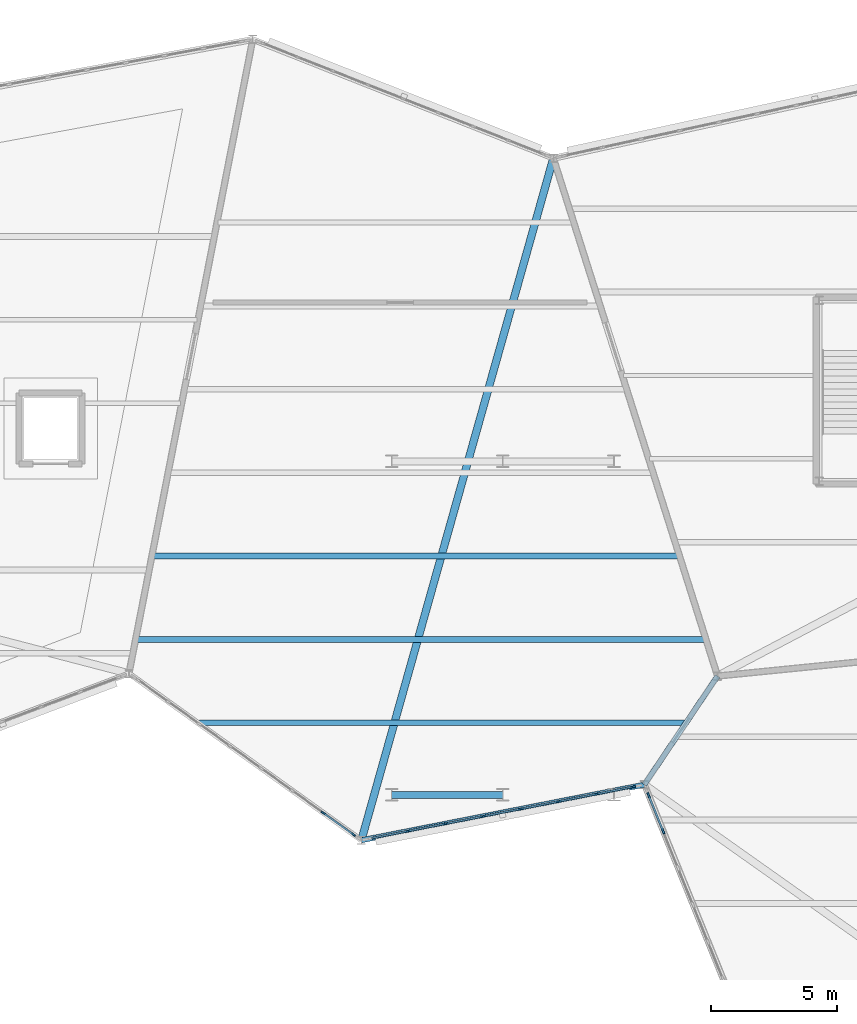
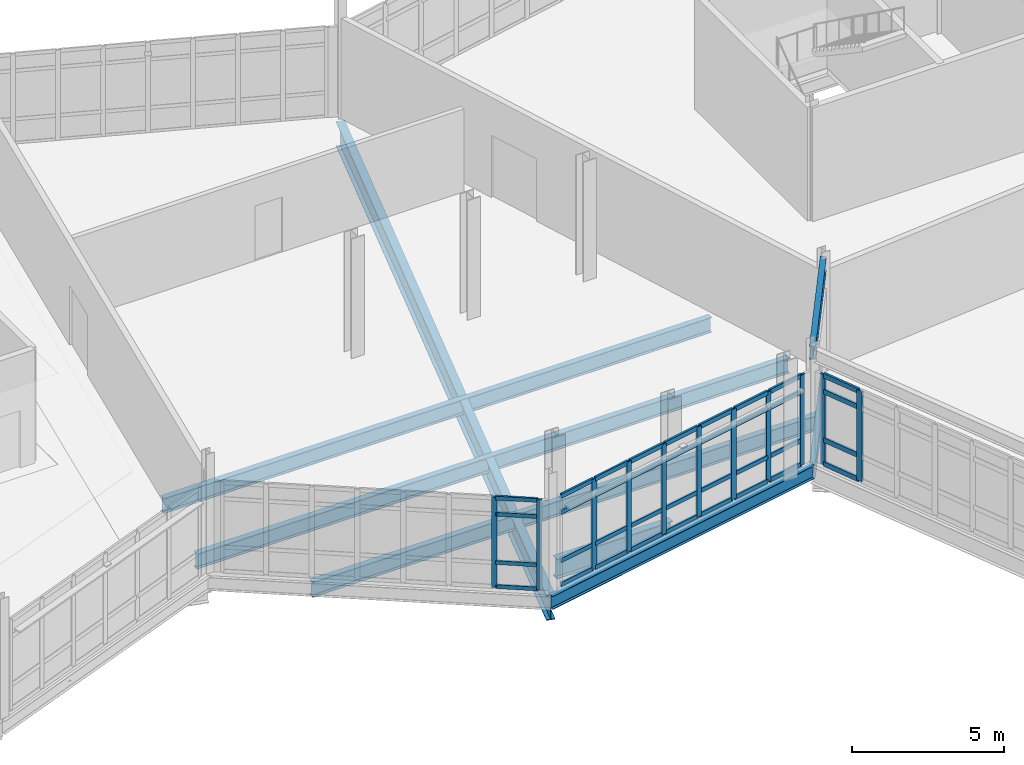
# One storey, part 67 of 134: 47 members, 8 beams, 3 elements without a shape of their own.
"""IFC4 building model written with IfcOpenShell, lengths in metres."""

from ifc_helpers import new_model, si_unit, direction, frame, origin, origin_2d, place, context, subcontext, project, spatial, rectangle, i_section, extrude, material, material_profile, profile_set, type_object, element, aggregate, save


model = new_model("IFC4")

# Units and contexts
model_context = context("Model", 3, precision=1e-05, world=origin(), true_north=direction((0.0, 1.0)))
body_context = subcontext(model_context, "Body", "Model", "MODEL_VIEW")
ifc_project = project(units=[si_unit("LENGTHUNIT", "METRE"), si_unit("AREAUNIT", "SQUARE_METRE"), si_unit("VOLUMEUNIT", "CUBIC_METRE"), si_unit("PLANEANGLEUNIT", "RADIAN"), si_unit("MASSUNIT", "GRAM", prefix="KILO")], contexts=[model_context])

# Site, building, storey
site_placement = place(None, origin())
site = spatial("IfcSite", under=ifc_project, at=site_placement, CompositionType="ELEMENT")
building_placement = place(site_placement, origin())
building = spatial("IfcBuilding", under=site, at=building_placement, Name="Tameran Prism Museum", CompositionType="ELEMENT")
storey_placement = place(building_placement, frame((0.0, 0.0, 5.39990234375)))
storey = spatial("IfcBuildingStorey", under=building, at=storey_placement, Name="L01", CompositionType="ELEMENT", Elevation=5.39990234375)

# Beams
ifc_material_1 = material(Name="Steel Grade 300PLUS (300 MPa)", Category="steel")
ifc_material_profile_1 = material_profile(ifc_material_1, i_section(OverallWidth=0.208984375, OverallDepth=0.532958984375, WebThickness=0.01025390625, FlangeThickness=0.015625, FilletRadius=0.013916015625, at=origin_2d()))
ifc_profile_set_1 = profile_set([ifc_material_profile_1])
beam_type_1 = type_object("IfcBeamType", Name="BM-SP530A", PredefinedType="SPANDREL", material=ifc_profile_set_1)
beam_1_placement = place(storey_placement, frame((129.89990234375, 15.699951171875, -0.46630859375), z_axis=(0.981250265265, 0.192737948825, 0.0), x_axis=(-0.192737948825, 0.981250265265, 0.0)))
element("IfcBeam", 1, at=beam_1_placement, inside=storey, type_object=beam_type_1, Name="Perimeter Spandrel SP-0367", PredefinedType="SPANDREL", context=body_context, shape_type="SweptSolid", body=[
    extrude(i_section(OverallWidth=0.208984375, OverallDepth=0.532958984375, WebThickness=0.01025390625, FlangeThickness=0.015625, FilletRadius=0.013916015625, at=origin_2d()), origin(), (0.0, 0.0, 1.0), 11.414306640625),
])
ifc_material_2 = material(Name="Steel Grade 300PLUS (300 MPa)", Category="steel")
ifc_material_profile_2 = material_profile(ifc_material_2, i_section(OverallWidth=0.208984375, OverallDepth=0.528076171875, WebThickness=0.009521484375, FlangeThickness=0.01318359375, FilletRadius=0.013916015625, at=origin_2d()))
ifc_profile_set_2 = profile_set([ifc_material_profile_2])
beam_type_2 = type_object("IfcBeamType", Name="BM-SP530B", PredefinedType="SPANDREL", material=ifc_profile_set_2)
for number, where, z_axis, x_axis, name in (
    (2, (141.10009765625, 17.89990234375, -0.4638671875), (0.559124361662, 0.829083800467, 0.0), (-0.829083800467, 0.559124361662, 0.0), "Perimeter Spandrel SP-0368"),
    (3, (144.0, 22.199951171875, 4.256103515625), (-0.559124361662, -0.829083800467, 0.0), (0.829083800467, -0.559124361662, 0.0), "Roof Ring Beam RB-0382"),
):
    element("IfcBeam", number, at=place(storey_placement, frame(where, z_axis=z_axis, x_axis=x_axis)), inside=storey, type_object=beam_type_2, Name=name, PredefinedType="SPANDREL", context=body_context, shape_type="SweptSolid", body=[
        extrude(i_section(OverallWidth=0.208984375, OverallDepth=0.528076171875, WebThickness=0.009521484375, FlangeThickness=0.01318359375, FilletRadius=0.013916015625, at=origin_2d()), origin(), (0.0, 0.0, 1.0), 5.1865234375),
    ])
ifc_material_3 = material(Name="Steel Grade 300PLUS (300 MPa)", Category="steel")
ifc_material_profile_3 = material_profile(ifc_material_3, i_section(OverallWidth=0.22802734375, OverallDepth=0.60693359375, WebThickness=0.01123046875, FlangeThickness=0.017333984375, FilletRadius=0.013916015625, at=origin_2d()))
ifc_profile_set_3 = profile_set([ifc_material_profile_3])
beam_type_3 = type_object("IfcBeamType", Name="BM-UB610B", PredefinedType="BEAM", material=ifc_profile_set_3)
beam_2_placement = place(storey_placement, frame((123.487060546875, 20.35009765625, -0.50341796875), z_axis=(1.0, 0.0, 0.0), x_axis=(0.0, 1.0, 0.0)))
element("IfcBeam", 4, at=beam_2_placement, inside=storey, type_object=beam_type_3, Name="Floor Beam BM-0570", PredefinedType="BEAM", context=body_context, shape_type="SweptSolid", body=[
    extrude(i_section(OverallWidth=0.22802734375, OverallDepth=0.60693359375, WebThickness=0.01123046875, FlangeThickness=0.017333984375, FilletRadius=0.013916015625, at=origin_2d()), origin(), (0.0, 0.0, 1.0), 19.217041015625),
])
beam_3_placement = place(storey_placement, frame((121.00390625, 23.64990234375, -0.50341796875), z_axis=(1.0, 0.0, 0.0), x_axis=(0.0, 1.0, 0.0)))
element("IfcBeam", 5, at=beam_3_placement, inside=storey, type_object=beam_type_3, Name="Floor Beam BM-0571", PredefinedType="BEAM", context=body_context, shape_type="SweptSolid", body=[
    extrude(i_section(OverallWidth=0.22802734375, OverallDepth=0.60693359375, WebThickness=0.01123046875, FlangeThickness=0.017333984375, FilletRadius=0.013916015625, at=origin_2d()), origin(), (0.0, 0.0, 1.0), 22.494140625),
])
beam_4_placement = place(storey_placement, frame((121.64892578125, 26.949951171875, -0.50341796875), z_axis=(1.0, 0.0, 0.0), x_axis=(0.0, 1.0, 0.0)))
element("IfcBeam", 6, at=beam_4_placement, inside=storey, type_object=beam_type_3, Name="Floor Beam BM-0572", PredefinedType="BEAM", context=body_context, shape_type="SweptSolid", body=[
    extrude(i_section(OverallWidth=0.22802734375, OverallDepth=0.60693359375, WebThickness=0.01123046875, FlangeThickness=0.017333984375, FilletRadius=0.013916015625, at=origin_2d()), origin(), (0.0, 0.0, 1.0), 20.802978515625),
])
ifc_material_4 = material(Name="Steel Grade 350 (350 MPa)", Category="steel")
ifc_material_profile_4 = material_profile(ifc_material_4, i_section(OverallWidth=0.300048828125, OverallDepth=1.0, WebThickness=0.01611328125, FlangeThickness=0.031982421875, at=origin_2d()))
ifc_profile_set_4 = profile_set([ifc_material_profile_4])
beam_type_4 = type_object("IfcBeamType", Name="BM-WB1000", PredefinedType="BEAM", material=ifc_profile_set_4)
beam_5_placement = place(storey_placement, frame((137.5, 42.699951171875, -0.699951171875), z_axis=(-0.270955285512, -0.962591934962, 0.0), x_axis=(0.962591934962, -0.270955285512, 0.0)))
element("IfcBeam", 7, at=beam_5_placement, inside=storey, type_object=beam_type_4, Name="Primary Vertex Girder PG-0370", PredefinedType="BEAM", context=body_context, shape_type="SweptSolid", body=[
    extrude(i_section(OverallWidth=0.300048828125, OverallDepth=1.0, WebThickness=0.01611328125, FlangeThickness=0.031982421875, at=origin_2d()), origin(), (0.0, 0.0, 1.0), 28.04931640625),
])
ifc_material_5 = material(Name="Steel Grade 350 (350 MPa)", Category="steel")
ifc_material_profile_5 = material_profile(ifc_material_5, i_section(OverallWidth=0.27490234375, OverallDepth=0.800048828125, WebThickness=0.011962890625, FlangeThickness=0.02490234375, at=origin_2d()))
ifc_profile_set_5 = profile_set([ifc_material_profile_5])
beam_type_5 = type_object("IfcBeamType", Name="BM-WB800", PredefinedType="BEAM", material=ifc_profile_set_5)
beam_6_placement = place(storey_placement, frame((131.10009765625, 17.5, -0.599853515625), z_axis=(1.0, 0.0, 0.0), x_axis=(0.0, 1.0, 0.0)))
element("IfcBeam", 8, at=beam_6_placement, inside=storey, type_object=beam_type_5, Name="Frame Tie Girder FG-1367", PredefinedType="BEAM", context=body_context, shape_type="SweptSolid", body=[
    extrude(i_section(OverallWidth=0.27490234375, OverallDepth=0.800048828125, WebThickness=0.011962890625, FlangeThickness=0.02490234375, at=origin_2d()), origin(), (0.0, 0.0, 1.0), 4.39990234375),
])

# Curtain wall, members
ifc_material_6 = material(Name="Anodised Aluminium 6063-T6 and Cyclone Solar Glass", Category="aluminium")
curtain_wall_type_1 = type_object("IfcCurtainWallType", Name="CW-FAC-1056x362", PredefinedType="USERDEFINED", material=ifc_material_6)
curtain_wall_1_placement = place(storey_placement, origin())
curtain_wall_1 = element("IfcCurtainWall", 9, at=curtain_wall_1_placement, inside=storey, type_object=curtain_wall_type_1, Name="Unitised Curtain Wall CW-076", ObjectType="UNITISED CURTAIN WALL", PredefinedType="USERDEFINED")
ifc_material_7 = material(Name="Anodised Aluminium Alloy 6063-T6", Category="aluminium")
ifc_material_profile_6 = material_profile(ifc_material_7, rectangle(XDim=0.070068359375, YDim=0.179931640625, at=origin_2d()))
ifc_profile_set_6 = profile_set([ifc_material_profile_6])
member_type_1 = type_object("IfcMemberType", Name="CW-MUL-B", PredefinedType="MULLION", material=ifc_profile_set_6)
member_1_placement = place(storey_placement, frame((129.587646484375, 15.92431640625, 0.0), z_axis=(0.0, 0.0, 1.0), x_axis=(-0.582884776259, -0.812554821293, 0.0)))
member_1 = element("IfcMember", 10, at=member_1_placement, type_object=member_type_1, Name="CW-076 mullion 1", PredefinedType="MULLION", context=body_context, shape_type="SweptSolid", body=[
    extrude(rectangle(XDim=0.070068359375, YDim=0.179931640625, at=origin_2d()), origin(), (0.0, 0.0, 1.0), 3.6201171875),
])
member_2_placement = place(storey_placement, frame((128.389892578125, 16.78369140625, 0.0), z_axis=(0.0, 0.0, 1.0), x_axis=(-0.582884776259, -0.812554821293, 0.0)))
member_2 = element("IfcMember", 11, at=member_2_placement, type_object=member_type_1, Name="CW-076 mullion 2", PredefinedType="MULLION", context=body_context, shape_type="SweptSolid", body=[
    extrude(rectangle(XDim=0.070068359375, YDim=0.179931640625, at=origin_2d()), origin(), (0.0, 0.0, 1.0), 3.6201171875),
])

ifc_material_8 = material(Name="Anodised Aluminium 6063-T6 and Cyclone Solar Glass", Category="aluminium")
curtain_wall_type_2 = type_object("IfcCurtainWallType", Name="CW-FAC-1065x362", PredefinedType="USERDEFINED", material=ifc_material_8)
curtain_wall_2_placement = place(storey_placement, origin())
curtain_wall_2 = element("IfcCurtainWall", 12, at=curtain_wall_2_placement, inside=storey, type_object=curtain_wall_type_2, Name="Unitised Curtain Wall CW-077", ObjectType="UNITISED CURTAIN WALL", PredefinedType="USERDEFINED")
ifc_material_9 = material(Name="Anodised Aluminium Alloy 6063-T6", Category="aluminium")
ifc_material_profile_7 = material_profile(ifc_material_9, rectangle(XDim=0.074951171875, YDim=0.199951171875, at=origin_2d()))
ifc_profile_set_7 = profile_set([ifc_material_profile_7])
member_type_2 = type_object("IfcMemberType", Name="CW-MUL-C", PredefinedType="MULLION", material=ifc_profile_set_7)
member_3_placement = place(storey_placement, frame((140.6611328125, 17.813720703125, 0.0), z_axis=(0.0, 0.0, 1.0), x_axis=(0.192775964228, -0.981242797485, 0.0)))
member_3 = element("IfcMember", 13, at=member_3_placement, type_object=member_type_2, Name="CW-077 mullion 1", PredefinedType="MULLION", context=body_context, shape_type="SweptSolid", body=[
    extrude(rectangle(XDim=0.074951171875, YDim=0.199951171875, at=origin_2d()), origin(), (0.0, 0.0, 1.0), 3.6201171875),
])
member_4_placement = place(storey_placement, frame((139.204345703125, 17.527587890625, 0.0), z_axis=(0.0, 0.0, 1.0), x_axis=(0.192775964228, -0.981242797485, 0.0)))
member_4 = element("IfcMember", 14, at=member_4_placement, type_object=member_type_2, Name="CW-077 mullion 2", PredefinedType="MULLION", context=body_context, shape_type="SweptSolid", body=[
    extrude(rectangle(XDim=0.074951171875, YDim=0.199951171875, at=origin_2d()), origin(), (0.0, 0.0, 1.0), 3.6201171875),
])
member_5_placement = place(storey_placement, frame((137.7109375, 17.234130859375, 0.0), z_axis=(0.0, 0.0, 1.0), x_axis=(0.192775964228, -0.981242797485, 0.0)))
member_5 = element("IfcMember", 15, at=member_5_placement, type_object=member_type_2, Name="CW-077 mullion 3", PredefinedType="MULLION", context=body_context, shape_type="SweptSolid", body=[
    extrude(rectangle(XDim=0.074951171875, YDim=0.199951171875, at=origin_2d()), origin(), (0.0, 0.0, 1.0), 3.6201171875),
])
member_6_placement = place(storey_placement, frame((136.21728515625, 16.940673828125, 0.0), z_axis=(0.0, 0.0, 1.0), x_axis=(0.192775964228, -0.981242797485, 0.0)))
member_6 = element("IfcMember", 16, at=member_6_placement, type_object=member_type_2, Name="CW-077 mullion 4", PredefinedType="MULLION", context=body_context, shape_type="SweptSolid", body=[
    extrude(rectangle(XDim=0.074951171875, YDim=0.199951171875, at=origin_2d()), origin(), (0.0, 0.0, 1.0), 3.6201171875),
])
member_7_placement = place(storey_placement, frame((134.7236328125, 16.647216796875, 0.0), z_axis=(0.0, 0.0, 1.0), x_axis=(0.192775964228, -0.981242797485, 0.0)))
member_7 = element("IfcMember", 17, at=member_7_placement, type_object=member_type_2, Name="CW-077 mullion 5", PredefinedType="MULLION", context=body_context, shape_type="SweptSolid", body=[
    extrude(rectangle(XDim=0.074951171875, YDim=0.199951171875, at=origin_2d()), origin(), (0.0, 0.0, 1.0), 3.6201171875),
])
member_8_placement = place(storey_placement, frame((133.230224609375, 16.353759765625, 0.0), z_axis=(0.0, 0.0, 1.0), x_axis=(0.192775964228, -0.981242797485, 0.0)))
member_8 = element("IfcMember", 18, at=member_8_placement, type_object=member_type_2, Name="CW-077 mullion 6", PredefinedType="MULLION", context=body_context, shape_type="SweptSolid", body=[
    extrude(rectangle(XDim=0.074951171875, YDim=0.199951171875, at=origin_2d()), origin(), (0.0, 0.0, 1.0), 3.6201171875),
])
member_9_placement = place(storey_placement, frame((131.736572265625, 16.060546875, 0.0), z_axis=(0.0, 0.0, 1.0), x_axis=(0.192775964228, -0.981242797485, 0.0)))
member_9 = element("IfcMember", 19, at=member_9_placement, type_object=member_type_2, Name="CW-077 mullion 7", PredefinedType="MULLION", context=body_context, shape_type="SweptSolid", body=[
    extrude(rectangle(XDim=0.074951171875, YDim=0.199951171875, at=origin_2d()), origin(), (0.0, 0.0, 1.0), 3.6201171875),
])

ifc_material_10 = material(Name="Anodised Aluminium 6063-T6 and Cyclone Solar Glass", Category="aluminium")
curtain_wall_type_3 = type_object("IfcCurtainWallType", Name="CW-FAC-1575x362", PredefinedType="USERDEFINED", material=ifc_material_10)
curtain_wall_3_placement = place(storey_placement, origin())
curtain_wall_3 = element("IfcCurtainWall", 20, at=curtain_wall_3_placement, inside=storey, type_object=curtain_wall_type_3, Name="Unitised Curtain Wall CW-078", ObjectType="UNITISED CURTAIN WALL", PredefinedType="USERDEFINED")
ifc_material_11 = material(Name="Anodised Aluminium Alloy 6063-T6", Category="aluminium")
ifc_material_profile_8 = material_profile(ifc_material_11, rectangle(XDim=0.080078125, YDim=0.219970703125, at=origin_2d()))
ifc_profile_set_8 = profile_set([ifc_material_profile_8])
member_type_3 = type_object("IfcMemberType", Name="CW-MUL-D", PredefinedType="MULLION", material=ifc_profile_set_8)
member_10_placement = place(storey_placement, frame((141.845458984375, 16.060302734375, 0.0), z_axis=(0.0, 0.0, 1.0), x_axis=(-0.926790048719, -0.375579825863, 0.0)))
member_10 = element("IfcMember", 21, at=member_10_placement, type_object=member_type_3, Name="CW-078 mullion 10", PredefinedType="MULLION", context=body_context, shape_type="SweptSolid", body=[
    extrude(rectangle(XDim=0.080078125, YDim=0.219970703125, at=origin_2d()), origin(), (0.0, 0.0, 1.0), 3.6201171875),
])
member_11_placement = place(storey_placement, frame((141.26904296875, 17.48291015625, 0.0), z_axis=(0.0, 0.0, 1.0), x_axis=(-0.926790048719, -0.375579825863, 0.0)))
member_11 = element("IfcMember", 22, at=member_11_placement, type_object=member_type_3, Name="CW-078 mullion 11", PredefinedType="MULLION", context=body_context, shape_type="SweptSolid", body=[
    extrude(rectangle(XDim=0.080078125, YDim=0.219970703125, at=origin_2d()), origin(), (0.0, 0.0, 1.0), 3.6201171875),
])

# Member
ifc_material_12 = material(Name="Anodised Aluminium Alloy 6063-T6", Category="aluminium")
ifc_material_profile_9 = material_profile(ifc_material_12, rectangle(XDim=0.070068359375, YDim=0.155029296875, at=origin_2d()))
ifc_profile_set_9 = profile_set([ifc_material_profile_9])
member_type_4 = type_object("IfcMemberType", Name="CW-TRN-B", PredefinedType="USERDEFINED", material=ifc_profile_set_9)
member_12_placement = place(storey_placement, frame((129.55908203125, 15.94482421875, 0.03515625), z_axis=(-0.812568686332, 0.582865447589, 0.0), x_axis=(-0.582865447589, -0.812568686332, 0.0)))
member_12 = element("IfcMember", 23, at=member_12_placement, type_object=member_type_4, Name="CW-076 transom 1.1", ObjectType="TRANSOM", PredefinedType="USERDEFINED", context=body_context, shape_type="SweptSolid", body=[
    extrude(rectangle(XDim=0.070068359375, YDim=0.155029296875, at=origin_2d()), origin(), (0.0, 0.0, 1.0), 1.404052734375),
])

member_13_placement = place(storey_placement, frame((129.55908203125, 15.94482421875, 1.0), z_axis=(-0.812568686332, 0.582865447589, 0.0), x_axis=(-0.582865447589, -0.812568686332, 0.0)))
member_13 = element("IfcMember", 24, at=member_13_placement, type_object=member_type_4, Name="CW-076 transom 1.2", ObjectType="TRANSOM", PredefinedType="USERDEFINED", context=body_context, shape_type="SweptSolid", body=[
    extrude(rectangle(XDim=0.070068359375, YDim=0.155029296875, at=origin_2d()), origin(), (0.0, 0.0, 1.0), 1.404052734375),
])

member_14_placement = place(storey_placement, frame((129.55908203125, 15.94482421875, 2.940185546875), z_axis=(-0.812568686332, 0.582865447589, 0.0), x_axis=(-0.582865447589, -0.812568686332, 0.0)))
member_14 = element("IfcMember", 25, at=member_14_placement, type_object=member_type_4, Name="CW-076 transom 1.3", ObjectType="TRANSOM", PredefinedType="USERDEFINED", context=body_context, shape_type="SweptSolid", body=[
    extrude(rectangle(XDim=0.070068359375, YDim=0.155029296875, at=origin_2d()), origin(), (0.0, 0.0, 1.0), 1.404052734375),
])

member_15_placement = place(storey_placement, frame((129.55908203125, 15.94482421875, 3.585205078125), z_axis=(-0.812568686332, 0.582865447589, 0.0), x_axis=(-0.582865447589, -0.812568686332, 0.0)))
member_15 = element("IfcMember", 26, at=member_15_placement, type_object=member_type_4, Name="CW-076 transom 1.4", ObjectType="TRANSOM", PredefinedType="USERDEFINED", context=body_context, shape_type="SweptSolid", body=[
    extrude(rectangle(XDim=0.070068359375, YDim=0.155029296875, at=origin_2d()), origin(), (0.0, 0.0, 1.0), 1.404052734375),
])

aggregate(curtain_wall_1, [member_1, member_2, member_12, member_13, member_14, member_15])

ifc_material_13 = material(Name="Anodised Aluminium Alloy 6063-T6", Category="aluminium")
ifc_material_profile_10 = material_profile(ifc_material_13, rectangle(XDim=0.074951171875, YDim=0.175048828125, at=origin_2d()))
ifc_profile_set_10 = profile_set([ifc_material_profile_10])
member_type_5 = type_object("IfcMemberType", Name="CW-TRN-C", PredefinedType="USERDEFINED", material=ifc_profile_set_10)
member_16_placement = place(storey_placement, frame((140.62451171875, 17.806640625, 0.03759765625), z_axis=(-0.981247650716, -0.192751259309, 0.0), x_axis=(0.192751259309, -0.981247650716, 0.0)))
member_16 = element("IfcMember", 27, at=member_16_placement, type_object=member_type_5, Name="CW-077 transom 1.1", ObjectType="TRANSOM", PredefinedType="USERDEFINED", context=body_context, shape_type="SweptSolid", body=[
    extrude(rectangle(XDim=0.074951171875, YDim=0.175048828125, at=origin_2d()), origin(), (0.0, 0.0, 1.0), 1.40966796875),
])

member_17_placement = place(storey_placement, frame((140.62451171875, 17.806640625, 1.0), z_axis=(-0.981247650716, -0.192751259309, 0.0), x_axis=(0.192751259309, -0.981247650716, 0.0)))
member_17 = element("IfcMember", 28, at=member_17_placement, type_object=member_type_5, Name="CW-077 transom 1.2", ObjectType="TRANSOM", PredefinedType="USERDEFINED", context=body_context, shape_type="SweptSolid", body=[
    extrude(rectangle(XDim=0.074951171875, YDim=0.175048828125, at=origin_2d()), origin(), (0.0, 0.0, 1.0), 1.40966796875),
])

member_18_placement = place(storey_placement, frame((140.62451171875, 17.806640625, 2.940185546875), z_axis=(-0.981247650716, -0.192751259309, 0.0), x_axis=(0.192751259309, -0.981247650716, 0.0)))
member_18 = element("IfcMember", 29, at=member_18_placement, type_object=member_type_5, Name="CW-077 transom 1.3", ObjectType="TRANSOM", PredefinedType="USERDEFINED", context=body_context, shape_type="SweptSolid", body=[
    extrude(rectangle(XDim=0.074951171875, YDim=0.175048828125, at=origin_2d()), origin(), (0.0, 0.0, 1.0), 1.40966796875),
])

member_19_placement = place(storey_placement, frame((140.62451171875, 17.806640625, 3.58251953125), z_axis=(-0.981247650716, -0.192751259309, 0.0), x_axis=(0.192751259309, -0.981247650716, 0.0)))
member_19 = element("IfcMember", 30, at=member_19_placement, type_object=member_type_5, Name="CW-077 transom 1.4", ObjectType="TRANSOM", PredefinedType="USERDEFINED", context=body_context, shape_type="SweptSolid", body=[
    extrude(rectangle(XDim=0.074951171875, YDim=0.175048828125, at=origin_2d()), origin(), (0.0, 0.0, 1.0), 1.40966796875),
])

member_20_placement = place(storey_placement, frame((139.167724609375, 17.520263671875, 0.03759765625), z_axis=(-0.981268755579, -0.192643788701, 0.0), x_axis=(0.192643788701, -0.981268755579, 0.0)))
member_20 = element("IfcMember", 31, at=member_20_placement, type_object=member_type_5, Name="CW-077 transom 2.1", ObjectType="TRANSOM", PredefinedType="USERDEFINED", context=body_context, shape_type="SweptSolid", body=[
    extrude(rectangle(XDim=0.074951171875, YDim=0.175048828125, at=origin_2d()), origin(), (0.0, 0.0, 1.0), 1.447265625),
])

member_21_placement = place(storey_placement, frame((139.167724609375, 17.520263671875, 1.0), z_axis=(-0.981268755579, -0.192643788701, 0.0), x_axis=(0.192643788701, -0.981268755579, 0.0)))
member_21 = element("IfcMember", 32, at=member_21_placement, type_object=member_type_5, Name="CW-077 transom 2.2", ObjectType="TRANSOM", PredefinedType="USERDEFINED", context=body_context, shape_type="SweptSolid", body=[
    extrude(rectangle(XDim=0.074951171875, YDim=0.175048828125, at=origin_2d()), origin(), (0.0, 0.0, 1.0), 1.447265625),
])

member_22_placement = place(storey_placement, frame((139.167724609375, 17.520263671875, 2.940185546875), z_axis=(-0.981268755579, -0.192643788701, 0.0), x_axis=(0.192643788701, -0.981268755579, 0.0)))
member_22 = element("IfcMember", 33, at=member_22_placement, type_object=member_type_5, Name="CW-077 transom 2.3", ObjectType="TRANSOM", PredefinedType="USERDEFINED", context=body_context, shape_type="SweptSolid", body=[
    extrude(rectangle(XDim=0.074951171875, YDim=0.175048828125, at=origin_2d()), origin(), (0.0, 0.0, 1.0), 1.447265625),
])

member_23_placement = place(storey_placement, frame((139.167724609375, 17.520263671875, 3.58251953125), z_axis=(-0.981268755579, -0.192643788701, 0.0), x_axis=(0.192643788701, -0.981268755579, 0.0)))
member_23 = element("IfcMember", 34, at=member_23_placement, type_object=member_type_5, Name="CW-077 transom 2.4", ObjectType="TRANSOM", PredefinedType="USERDEFINED", context=body_context, shape_type="SweptSolid", body=[
    extrude(rectangle(XDim=0.074951171875, YDim=0.175048828125, at=origin_2d()), origin(), (0.0, 0.0, 1.0), 1.447265625),
])

member_24_placement = place(storey_placement, frame((137.674072265625, 17.226806640625, 0.03759765625), z_axis=(-0.981262493669, -0.192675682216, 0.0), x_axis=(0.192675682216, -0.981262493669, 0.0)))
member_24 = element("IfcMember", 35, at=member_24_placement, type_object=member_type_5, Name="CW-077 transom 3.1", ObjectType="TRANSOM", PredefinedType="USERDEFINED", context=body_context, shape_type="SweptSolid", body=[
    extrude(rectangle(XDim=0.074951171875, YDim=0.175048828125, at=origin_2d()), origin(), (0.0, 0.0, 1.0), 1.447021484375),
])

member_25_placement = place(storey_placement, frame((137.674072265625, 17.226806640625, 1.0), z_axis=(-0.981262493669, -0.192675682216, 0.0), x_axis=(0.192675682216, -0.981262493669, 0.0)))
member_25 = element("IfcMember", 36, at=member_25_placement, type_object=member_type_5, Name="CW-077 transom 3.2", ObjectType="TRANSOM", PredefinedType="USERDEFINED", context=body_context, shape_type="SweptSolid", body=[
    extrude(rectangle(XDim=0.074951171875, YDim=0.175048828125, at=origin_2d()), origin(), (0.0, 0.0, 1.0), 1.447021484375),
])

member_26_placement = place(storey_placement, frame((137.674072265625, 17.226806640625, 2.940185546875), z_axis=(-0.981262493669, -0.192675682216, 0.0), x_axis=(0.192675682216, -0.981262493669, 0.0)))
member_26 = element("IfcMember", 37, at=member_26_placement, type_object=member_type_5, Name="CW-077 transom 3.3", ObjectType="TRANSOM", PredefinedType="USERDEFINED", context=body_context, shape_type="SweptSolid", body=[
    extrude(rectangle(XDim=0.074951171875, YDim=0.175048828125, at=origin_2d()), origin(), (0.0, 0.0, 1.0), 1.447021484375),
])

member_27_placement = place(storey_placement, frame((137.674072265625, 17.226806640625, 3.58251953125), z_axis=(-0.981262493669, -0.192675682216, 0.0), x_axis=(0.192675682216, -0.981262493669, 0.0)))
member_27 = element("IfcMember", 38, at=member_27_placement, type_object=member_type_5, Name="CW-077 transom 3.4", ObjectType="TRANSOM", PredefinedType="USERDEFINED", context=body_context, shape_type="SweptSolid", body=[
    extrude(rectangle(XDim=0.074951171875, YDim=0.175048828125, at=origin_2d()), origin(), (0.0, 0.0, 1.0), 1.447021484375),
])

member_28_placement = place(storey_placement, frame((136.180419921875, 16.93359375, 0.03759765625), z_axis=(-0.981230582566, -0.192838128589, 0.0), x_axis=(0.192838128589, -0.981230582566, 0.0)))
member_28 = element("IfcMember", 39, at=member_28_placement, type_object=member_type_5, Name="CW-077 transom 4.1", ObjectType="TRANSOM", PredefinedType="USERDEFINED", context=body_context, shape_type="SweptSolid", body=[
    extrude(rectangle(XDim=0.074951171875, YDim=0.175048828125, at=origin_2d()), origin(), (0.0, 0.0, 1.0), 1.447021484375),
])

member_29_placement = place(storey_placement, frame((136.180419921875, 16.93359375, 1.0), z_axis=(-0.981230582566, -0.192838128589, 0.0), x_axis=(0.192838128589, -0.981230582566, 0.0)))
member_29 = element("IfcMember", 40, at=member_29_placement, type_object=member_type_5, Name="CW-077 transom 4.2", ObjectType="TRANSOM", PredefinedType="USERDEFINED", context=body_context, shape_type="SweptSolid", body=[
    extrude(rectangle(XDim=0.074951171875, YDim=0.175048828125, at=origin_2d()), origin(), (0.0, 0.0, 1.0), 1.447021484375),
])

member_30_placement = place(storey_placement, frame((136.180419921875, 16.93359375, 2.940185546875), z_axis=(-0.981230582566, -0.192838128589, 0.0), x_axis=(0.192838128589, -0.981230582566, 0.0)))
member_30 = element("IfcMember", 41, at=member_30_placement, type_object=member_type_5, Name="CW-077 transom 4.3", ObjectType="TRANSOM", PredefinedType="USERDEFINED", context=body_context, shape_type="SweptSolid", body=[
    extrude(rectangle(XDim=0.074951171875, YDim=0.175048828125, at=origin_2d()), origin(), (0.0, 0.0, 1.0), 1.447021484375),
])

member_31_placement = place(storey_placement, frame((136.180419921875, 16.93359375, 3.58251953125), z_axis=(-0.981230582566, -0.192838128589, 0.0), x_axis=(0.192838128589, -0.981230582566, 0.0)))
member_31 = element("IfcMember", 42, at=member_31_placement, type_object=member_type_5, Name="CW-077 transom 4.4", ObjectType="TRANSOM", PredefinedType="USERDEFINED", context=body_context, shape_type="SweptSolid", body=[
    extrude(rectangle(XDim=0.074951171875, YDim=0.175048828125, at=origin_2d()), origin(), (0.0, 0.0, 1.0), 1.447021484375),
])

member_32_placement = place(storey_placement, frame((134.68701171875, 16.64013671875, 0.03759765625), z_axis=(-0.981236854835, -0.192806210259, 0.0), x_axis=(0.192806210259, -0.981236854835, 0.0)))
member_32 = element("IfcMember", 43, at=member_32_placement, type_object=member_type_5, Name="CW-077 transom 5.1", ObjectType="TRANSOM", PredefinedType="USERDEFINED", context=body_context, shape_type="SweptSolid", body=[
    extrude(rectangle(XDim=0.074951171875, YDim=0.175048828125, at=origin_2d()), origin(), (0.0, 0.0, 1.0), 1.447265625),
])

member_33_placement = place(storey_placement, frame((134.68701171875, 16.64013671875, 1.0), z_axis=(-0.981236854835, -0.192806210259, 0.0), x_axis=(0.192806210259, -0.981236854835, 0.0)))
member_33 = element("IfcMember", 44, at=member_33_placement, type_object=member_type_5, Name="CW-077 transom 5.2", ObjectType="TRANSOM", PredefinedType="USERDEFINED", context=body_context, shape_type="SweptSolid", body=[
    extrude(rectangle(XDim=0.074951171875, YDim=0.175048828125, at=origin_2d()), origin(), (0.0, 0.0, 1.0), 1.447265625),
])

member_34_placement = place(storey_placement, frame((134.68701171875, 16.64013671875, 2.940185546875), z_axis=(-0.981236854835, -0.192806210259, 0.0), x_axis=(0.192806210259, -0.981236854835, 0.0)))
member_34 = element("IfcMember", 45, at=member_34_placement, type_object=member_type_5, Name="CW-077 transom 5.3", ObjectType="TRANSOM", PredefinedType="USERDEFINED", context=body_context, shape_type="SweptSolid", body=[
    extrude(rectangle(XDim=0.074951171875, YDim=0.175048828125, at=origin_2d()), origin(), (0.0, 0.0, 1.0), 1.447265625),
])

member_35_placement = place(storey_placement, frame((134.68701171875, 16.64013671875, 3.58251953125), z_axis=(-0.981236854835, -0.192806210259, 0.0), x_axis=(0.192806210259, -0.981236854835, 0.0)))
member_35 = element("IfcMember", 46, at=member_35_placement, type_object=member_type_5, Name="CW-077 transom 5.4", ObjectType="TRANSOM", PredefinedType="USERDEFINED", context=body_context, shape_type="SweptSolid", body=[
    extrude(rectangle(XDim=0.074951171875, YDim=0.175048828125, at=origin_2d()), origin(), (0.0, 0.0, 1.0), 1.447265625),
])

member_36_placement = place(storey_placement, frame((133.193359375, 16.3466796875, 0.03759765625), z_axis=(-0.981230582566, -0.192838128589, 0.0), x_axis=(0.192838128589, -0.981230582566, 0.0)))
member_36 = element("IfcMember", 47, at=member_36_placement, type_object=member_type_5, Name="CW-077 transom 6.1", ObjectType="TRANSOM", PredefinedType="USERDEFINED", context=body_context, shape_type="SweptSolid", body=[
    extrude(rectangle(XDim=0.074951171875, YDim=0.175048828125, at=origin_2d()), origin(), (0.0, 0.0, 1.0), 1.447021484375),
])

member_37_placement = place(storey_placement, frame((133.193359375, 16.3466796875, 1.0), z_axis=(-0.981230582566, -0.192838128589, 0.0), x_axis=(0.192838128589, -0.981230582566, 0.0)))
member_37 = element("IfcMember", 48, at=member_37_placement, type_object=member_type_5, Name="CW-077 transom 6.2", ObjectType="TRANSOM", PredefinedType="USERDEFINED", context=body_context, shape_type="SweptSolid", body=[
    extrude(rectangle(XDim=0.074951171875, YDim=0.175048828125, at=origin_2d()), origin(), (0.0, 0.0, 1.0), 1.447021484375),
])

member_38_placement = place(storey_placement, frame((133.193359375, 16.3466796875, 2.940185546875), z_axis=(-0.981230582566, -0.192838128589, 0.0), x_axis=(0.192838128589, -0.981230582566, 0.0)))
member_38 = element("IfcMember", 49, at=member_38_placement, type_object=member_type_5, Name="CW-077 transom 6.3", ObjectType="TRANSOM", PredefinedType="USERDEFINED", context=body_context, shape_type="SweptSolid", body=[
    extrude(rectangle(XDim=0.074951171875, YDim=0.175048828125, at=origin_2d()), origin(), (0.0, 0.0, 1.0), 1.447021484375),
])

member_39_placement = place(storey_placement, frame((133.193359375, 16.3466796875, 3.58251953125), z_axis=(-0.981230582566, -0.192838128589, 0.0), x_axis=(0.192838128589, -0.981230582566, 0.0)))
member_39 = element("IfcMember", 50, at=member_39_placement, type_object=member_type_5, Name="CW-077 transom 6.4", ObjectType="TRANSOM", PredefinedType="USERDEFINED", context=body_context, shape_type="SweptSolid", body=[
    extrude(rectangle(XDim=0.074951171875, YDim=0.175048828125, at=origin_2d()), origin(), (0.0, 0.0, 1.0), 1.447021484375),
])

member_40_placement = place(storey_placement, frame((131.69970703125, 16.05322265625, 0.03759765625), z_axis=(-0.981241214846, -0.192784019792, 0.0), x_axis=(0.192784019792, -0.981241214846, 0.0)))
member_40 = element("IfcMember", 51, at=member_40_placement, type_object=member_type_5, Name="CW-077 transom 7.1", ObjectType="TRANSOM", PredefinedType="USERDEFINED", context=body_context, shape_type="SweptSolid", body=[
    extrude(rectangle(XDim=0.074951171875, YDim=0.175048828125, at=origin_2d()), origin(), (0.0, 0.0, 1.0), 1.409423828125),
])

member_41_placement = place(storey_placement, frame((131.69970703125, 16.05322265625, 1.0), z_axis=(-0.981241214846, -0.192784019792, 0.0), x_axis=(0.192784019792, -0.981241214846, 0.0)))
member_41 = element("IfcMember", 52, at=member_41_placement, type_object=member_type_5, Name="CW-077 transom 7.2", ObjectType="TRANSOM", PredefinedType="USERDEFINED", context=body_context, shape_type="SweptSolid", body=[
    extrude(rectangle(XDim=0.074951171875, YDim=0.175048828125, at=origin_2d()), origin(), (0.0, 0.0, 1.0), 1.409423828125),
])

member_42_placement = place(storey_placement, frame((131.69970703125, 16.05322265625, 2.940185546875), z_axis=(-0.981241214846, -0.192784019792, 0.0), x_axis=(0.192784019792, -0.981241214846, 0.0)))
member_42 = element("IfcMember", 53, at=member_42_placement, type_object=member_type_5, Name="CW-077 transom 7.3", ObjectType="TRANSOM", PredefinedType="USERDEFINED", context=body_context, shape_type="SweptSolid", body=[
    extrude(rectangle(XDim=0.074951171875, YDim=0.175048828125, at=origin_2d()), origin(), (0.0, 0.0, 1.0), 1.409423828125),
])

member_43_placement = place(storey_placement, frame((131.69970703125, 16.05322265625, 3.58251953125), z_axis=(-0.981241214846, -0.192784019792, 0.0), x_axis=(0.192784019792, -0.981241214846, 0.0)))
member_43 = element("IfcMember", 54, at=member_43_placement, type_object=member_type_5, Name="CW-077 transom 7.4", ObjectType="TRANSOM", PredefinedType="USERDEFINED", context=body_context, shape_type="SweptSolid", body=[
    extrude(rectangle(XDim=0.074951171875, YDim=0.175048828125, at=origin_2d()), origin(), (0.0, 0.0, 1.0), 1.409423828125),
])

aggregate(curtain_wall_2, [member_3, member_4, member_5, member_6, member_7, member_8, member_9, member_16, member_17, member_18, member_19, member_20, member_21, member_22, member_23, member_24, member_25, member_26, member_27, member_28, member_29, member_30, member_31, member_32, member_33, member_34, member_35, member_36, member_37, member_38, member_39, member_40, member_41, member_42, member_43])

ifc_material_14 = material(Name="Anodised Aluminium Alloy 6063-T6", Category="aluminium")
ifc_material_profile_11 = material_profile(ifc_material_14, rectangle(XDim=0.080078125, YDim=0.195068359375, at=origin_2d()))
ifc_profile_set_11 = profile_set([ifc_material_profile_11])
member_type_6 = type_object("IfcMemberType", Name="CW-TRN-D", PredefinedType="USERDEFINED", material=ifc_profile_set_11)
member_44_placement = place(storey_placement, frame((141.83056640625, 16.097412109375, 0.0400390625), z_axis=(-0.375697318906, 0.926742426226, 0.0), x_axis=(-0.926742426226, -0.375697318906, 0.0)))
member_44 = element("IfcMember", 55, at=member_44_placement, type_object=member_type_6, Name="CW-078 transom 10.1", ObjectType="TRANSOM", PredefinedType="USERDEFINED", context=body_context, shape_type="SweptSolid", body=[
    extrude(rectangle(XDim=0.080078125, YDim=0.195068359375, at=origin_2d()), origin(), (0.0, 0.0, 1.0), 1.455078125),
])

member_45_placement = place(storey_placement, frame((141.83056640625, 16.097412109375, 1.0), z_axis=(-0.375697318906, 0.926742426226, 0.0), x_axis=(-0.926742426226, -0.375697318906, 0.0)))
member_45 = element("IfcMember", 56, at=member_45_placement, type_object=member_type_6, Name="CW-078 transom 10.2", ObjectType="TRANSOM", PredefinedType="USERDEFINED", context=body_context, shape_type="SweptSolid", body=[
    extrude(rectangle(XDim=0.080078125, YDim=0.195068359375, at=origin_2d()), origin(), (0.0, 0.0, 1.0), 1.455078125),
])

member_46_placement = place(storey_placement, frame((141.83056640625, 16.097412109375, 2.940185546875), z_axis=(-0.375697318906, 0.926742426226, 0.0), x_axis=(-0.926742426226, -0.375697318906, 0.0)))
member_46 = element("IfcMember", 57, at=member_46_placement, type_object=member_type_6, Name="CW-078 transom 10.3", ObjectType="TRANSOM", PredefinedType="USERDEFINED", context=body_context, shape_type="SweptSolid", body=[
    extrude(rectangle(XDim=0.080078125, YDim=0.195068359375, at=origin_2d()), origin(), (0.0, 0.0, 1.0), 1.455078125),
])

member_47_placement = place(storey_placement, frame((141.83056640625, 16.097412109375, 3.580078125), z_axis=(-0.375697318906, 0.926742426226, 0.0), x_axis=(-0.926742426226, -0.375697318906, 0.0)))
member_47 = element("IfcMember", 58, at=member_47_placement, type_object=member_type_6, Name="CW-078 transom 10.4", ObjectType="TRANSOM", PredefinedType="USERDEFINED", context=body_context, shape_type="SweptSolid", body=[
    extrude(rectangle(XDim=0.080078125, YDim=0.195068359375, at=origin_2d()), origin(), (0.0, 0.0, 1.0), 1.455078125),
])

aggregate(curtain_wall_3, [member_10, member_11, member_44, member_45, member_46, member_47])

save(model, "model.ifc")
